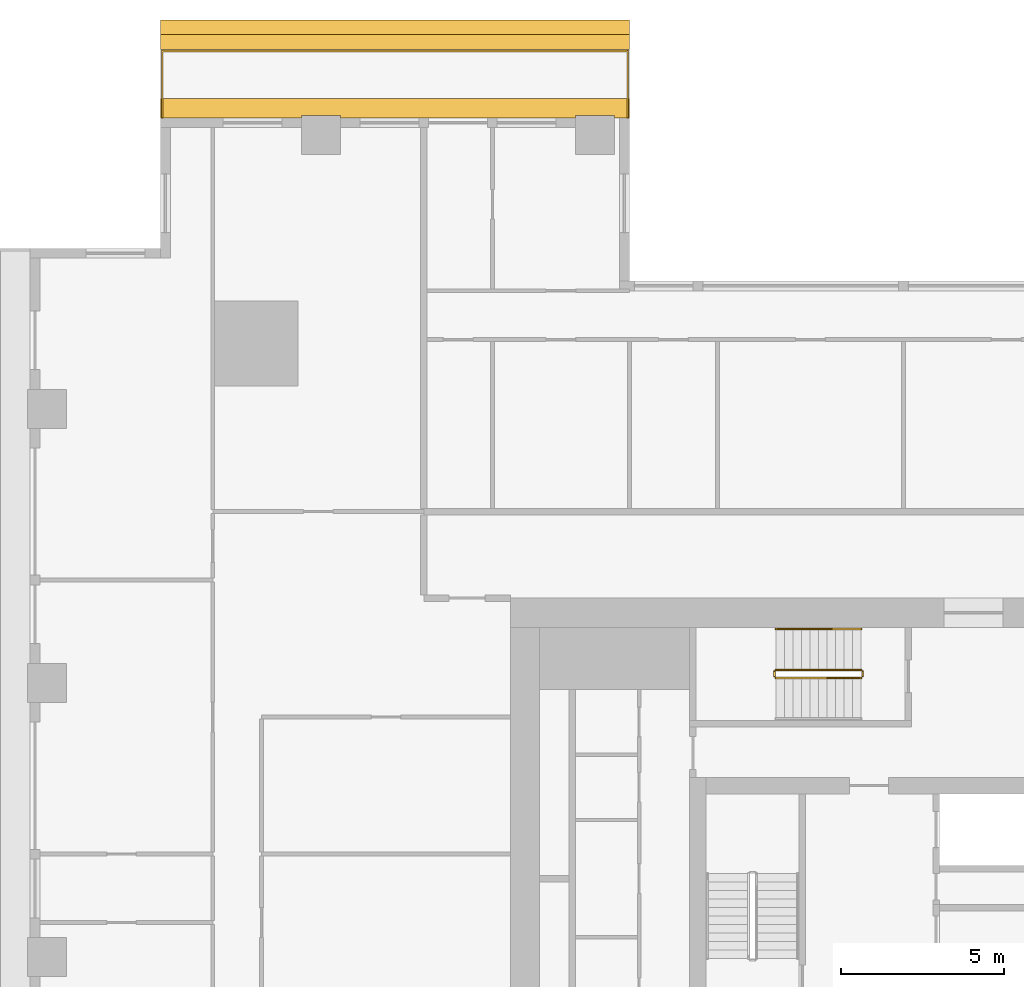
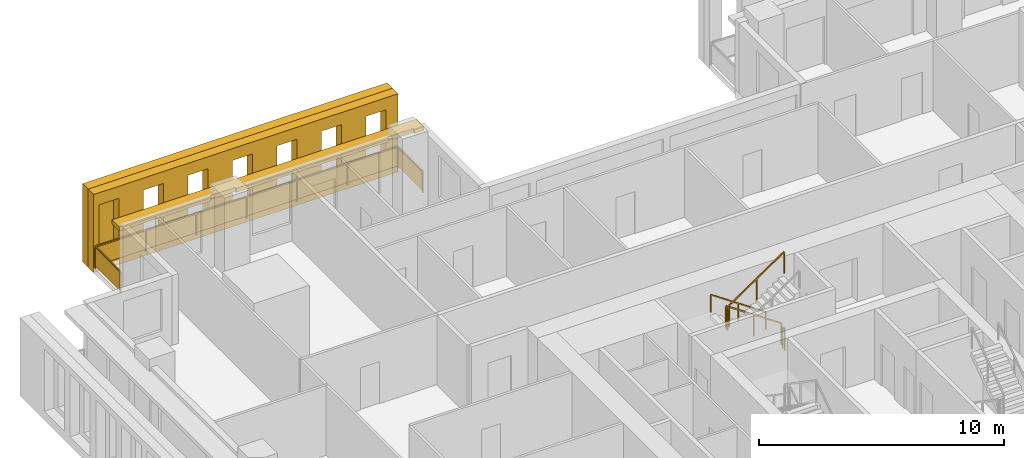
# One storey, part 15 of 16: 6 railings, 3 shading devices.
"""IFC4 building model written with IfcOpenShell, lengths in metres."""

from ifc_helpers import new_model, si_unit, direction, frame, origin, origin_2d, place, context, subcontext, project, spatial, polyline, rectangle, outline, extrude, material, layer, layer_set, type_object, element, save


model = new_model("IFC4")

# Units and contexts
model_context = context("Model", 3, precision=1e-05, world=origin(), true_north=direction((0.0, 1.0)))
body_context = subcontext(model_context, "Body", "Model", "MODEL_VIEW")
ifc_project = project(units=[si_unit("LENGTHUNIT", "METRE"), si_unit("AREAUNIT", "SQUARE_METRE"), si_unit("VOLUMEUNIT", "CUBIC_METRE"), si_unit("PLANEANGLEUNIT", "RADIAN"), si_unit("MASSUNIT", "GRAM", prefix="KILO")], contexts=[model_context])

# Site, building, storey
site_placement = place(None, origin())
site = spatial("IfcSite", under=ifc_project, at=site_placement, CompositionType="ELEMENT")
building_placement = place(site_placement, origin())
building = spatial("IfcBuilding", under=site, at=building_placement, Name="Khepri Terraces", CompositionType="ELEMENT")
storey_placement = place(building_placement, frame((0.0, 0.0, 153.300048828125)))
storey = spatial("IfcBuildingStorey", under=building, at=storey_placement, Name="L36", CompositionType="ELEMENT", Elevation=153.300048828125)

# Railings
ifc_material_1 = material(Name="Stainless steel grade 316", Category="steel")
railing_type_1 = type_object("IfcRailingType", Name="GRD-BAL-1100", PredefinedType="GUARDRAIL", material=ifc_material_1)
railing_1_placement = place(storey_placement, frame((-7.39990234375, 25.719970703125, 0.0)))
element("IfcRailing", 1, at=railing_1_placement, inside=storey, type_object=railing_type_1, Name="Balcony guard L36 N", PredefinedType="GUARDRAIL", context=body_context, shape_type="SweptSolid", body=[
    extrude(rectangle(XDim=0.050048828125, YDim=0.06005859375, at=origin_2d()), frame((0.0, 0.0, 1.070068359375), z_axis=(0.0, 1.0, 0.0), x_axis=(-1.0, 0.0, 0.0)), (0.0, 0.0, 1.0), 2.050048828125),
    extrude(rectangle(XDim=2.0, YDim=0.011962890625, at=origin_2d()), frame((0.0, 1.02490234375, 0.10009765625), z_axis=(0.0, 0.0, 1.0), x_axis=(0.0, 1.0, 0.0)), (0.0, 0.0, 1.0), 0.93994140625),
    extrude(rectangle(XDim=0.050048828125, YDim=0.06005859375, at=origin_2d()), frame((0.0, 2.050048828125, 1.070068359375), z_axis=(-1.0, 0.0, 0.0), x_axis=(0.0, -1.0, 0.0)), (0.0, 0.0, 1.0), 14.27001953125),
    extrude(rectangle(XDim=2.328369140625, YDim=0.011962890625, at=origin_2d()), frame((-1.189208984375, 2.050048828125, 0.10009765625), z_axis=(0.0, 0.0, 1.0), x_axis=(-1.0, 0.0, 0.0)), (0.0, 0.0, 1.0), 0.93994140625),
    extrude(rectangle(XDim=2.328369140625, YDim=0.011962890625, at=origin_2d()), frame((-3.5673828125, 2.050048828125, 0.10009765625), z_axis=(0.0, 0.0, 1.0), x_axis=(-1.0, 0.0, 0.0)), (0.0, 0.0, 1.0), 0.93994140625),
    extrude(rectangle(XDim=2.328369140625, YDim=0.011962890625, at=origin_2d()), frame((-5.94580078125, 2.050048828125, 0.10009765625), z_axis=(0.0, 0.0, 1.0), x_axis=(-1.0, 0.0, 0.0)), (0.0, 0.0, 1.0), 0.93994140625),
    extrude(rectangle(XDim=2.328369140625, YDim=0.011962890625, at=origin_2d()), frame((-8.32421875, 2.050048828125, 0.10009765625), z_axis=(0.0, 0.0, 1.0), x_axis=(-1.0, 0.0, 0.0)), (0.0, 0.0, 1.0), 0.93994140625),
    extrude(rectangle(XDim=2.328369140625, YDim=0.011962890625, at=origin_2d()), frame((-10.70263671875, 2.050048828125, 0.10009765625), z_axis=(0.0, 0.0, 1.0), x_axis=(-1.0, 0.0, 0.0)), (0.0, 0.0, 1.0), 0.93994140625),
    extrude(rectangle(XDim=2.328369140625, YDim=0.011962890625, at=origin_2d()), frame((-13.080810546875, 2.050048828125, 0.10009765625), z_axis=(0.0, 0.0, 1.0), x_axis=(-1.0, 0.0, 0.0)), (0.0, 0.0, 1.0), 0.93994140625),
    extrude(rectangle(XDim=0.050048828125, YDim=0.06005859375, at=origin_2d()), frame((-14.27001953125, 2.050048828125, 1.070068359375), z_axis=(0.0, -1.0, 0.0), x_axis=(1.0, 0.0, 0.0)), (0.0, 0.0, 1.0), 2.050048828125),
    extrude(rectangle(XDim=2.0, YDim=0.011962890625, at=origin_2d()), frame((-14.27001953125, 1.02490234375, 0.10009765625), z_axis=(0.0, 0.0, 1.0), x_axis=(0.0, -1.0, 0.0)), (0.0, 0.0, 1.0), 0.93994140625),
    extrude(rectangle(XDim=0.050048828125, YDim=0.050048828125, at=origin_2d()), origin(), (0.0, 0.0, 1.0), 1.0400390625),
    extrude(rectangle(XDim=0.050048828125, YDim=0.050048828125, at=origin_2d()), frame((0.0, 2.050048828125, 0.0)), (0.0, 0.0, 1.0), 1.0400390625),
    extrude(rectangle(XDim=0.050048828125, YDim=0.050048828125, at=origin_2d()), frame((-2.37841796875, 2.050048828125, 0.0)), (0.0, 0.0, 1.0), 1.0400390625),
    extrude(rectangle(XDim=0.050048828125, YDim=0.050048828125, at=origin_2d()), frame((-4.756591796875, 2.050048828125, 0.0)), (0.0, 0.0, 1.0), 1.0400390625),
    extrude(rectangle(XDim=0.050048828125, YDim=0.050048828125, at=origin_2d()), frame((-7.135009765625, 2.050048828125, 0.0)), (0.0, 0.0, 1.0), 1.0400390625),
    extrude(rectangle(XDim=0.050048828125, YDim=0.050048828125, at=origin_2d()), frame((-9.513427734375, 2.050048828125, 0.0)), (0.0, 0.0, 1.0), 1.0400390625),
    extrude(rectangle(XDim=0.050048828125, YDim=0.050048828125, at=origin_2d()), frame((-11.8916015625, 2.050048828125, 0.0)), (0.0, 0.0, 1.0), 1.0400390625),
    extrude(rectangle(XDim=0.050048828125, YDim=0.050048828125, at=origin_2d()), frame((-14.27001953125, 2.050048828125, 0.0)), (0.0, 0.0, 1.0), 1.0400390625),
    extrude(rectangle(XDim=0.050048828125, YDim=0.050048828125, at=origin_2d()), frame((-14.27001953125, 0.0, 0.0)), (0.0, 0.0, 1.0), 1.0400390625),
])
ifc_material_2 = material(Name="Stainless steel 316", Category="steel")
railing_type_2 = type_object("IfcRailingType", Name="RL-CORE-GUARD", PredefinedType="GUARDRAIL", material=ifc_material_2)
railing_2_placement = place(storey_placement, frame((-0.25, 8.800048828125, 0.17724609375)))
element("IfcRailing", 2, at=railing_2_placement, inside=storey, type_object=railing_type_2, Name="L36 ST-3 stair guard 1", PredefinedType="GUARDRAIL", context=body_context, shape_type="SweptSolid", body=[
    extrude(rectangle(XDim=0.050048828125, YDim=0.06005859375, at=origin_2d()), frame((0.0, 0.0, 1.070068359375), z_axis=(-0.826240473404, 0.0, 0.563317565952), x_axis=(0.0, -1.0, 0.0)), (0.0, 0.0, 1.0), 3.14697265625),
    extrude(rectangle(XDim=0.050048828125, YDim=0.050048828125, at=origin_2d()), origin(), (0.0, 0.0, 1.0), 1.0400390625),
    extrude(rectangle(XDim=0.050048828125, YDim=0.050048828125, at=origin_2d()), frame((-1.300048828125, 0.0, 0.88623046875)), (0.0, 0.0, 1.0), 1.0400390625),
    extrude(rectangle(XDim=0.050048828125, YDim=0.050048828125, at=origin_2d()), frame((-2.60009765625, 0.0, 1.772705078125)), (0.0, 0.0, 1.0), 1.0400390625),
])
railing_3_placement = place(storey_placement, frame((-2.89990234375, 8.75, 1.949951171875)))
element("IfcRailing", 3, at=railing_3_placement, inside=storey, type_object=railing_type_2, Name="L36 ST-3 stair guard 2", PredefinedType="GUARDRAIL", context=body_context, shape_type="SweptSolid", body=[
    extrude(rectangle(XDim=0.050048828125, YDim=0.06005859375, at=origin_2d()), frame((0.0, 0.0, 1.070068359375), z_axis=(0.0, -1.0, 0.0), x_axis=(1.0, 0.0, 0.0)), (0.0, 0.0, 1.0), 0.14990234375),
    extrude(rectangle(XDim=0.050048828125, YDim=0.050048828125, at=origin_2d()), origin(), (0.0, 0.0, 1.0), 1.0400390625),
    extrude(rectangle(XDim=0.050048828125, YDim=0.050048828125, at=origin_2d()), frame((0.0, -0.14990234375, 0.0)), (0.0, 0.0, 1.0), 1.0400390625),
])
railing_4_placement = place(storey_placement, frame((-2.85009765625, 8.550048828125, 2.127197265625)))
element("IfcRailing", 4, at=railing_4_placement, inside=storey, type_object=railing_type_2, Name="L36 ST-3 stair guard 3", PredefinedType="GUARDRAIL", context=body_context, shape_type="SweptSolid", body=[
    extrude(rectangle(XDim=0.050048828125, YDim=0.06005859375, at=origin_2d()), frame((0.0, 0.0, 1.070068359375), z_axis=(0.826240473404, 0.0, 0.563317565952), x_axis=(0.0, 1.0, 0.0)), (0.0, 0.0, 1.0), 3.14697265625),
    extrude(rectangle(XDim=0.050048828125, YDim=0.050048828125, at=origin_2d()), origin(), (0.0, 0.0, 1.0), 1.0400390625),
    extrude(rectangle(XDim=0.050048828125, YDim=0.050048828125, at=origin_2d()), frame((1.300048828125, 0.0, 0.88623046875)), (0.0, 0.0, 1.0), 1.0400390625),
    extrude(rectangle(XDim=0.050048828125, YDim=0.050048828125, at=origin_2d()), frame((2.60009765625, 0.0, 1.772705078125)), (0.0, 0.0, 1.0), 1.0400390625),
])
railing_5_placement = place(storey_placement, frame((-0.199951171875, 8.75, 0.0)))
element("IfcRailing", 5, at=railing_5_placement, inside=storey, type_object=railing_type_2, Name="L36 ST-3 stair guard 4", PredefinedType="GUARDRAIL", context=body_context, shape_type="SweptSolid", body=[
    extrude(rectangle(XDim=0.050048828125, YDim=0.06005859375, at=origin_2d()), frame((0.0, 0.0, 1.070068359375), z_axis=(0.0, -1.0, 0.0), x_axis=(1.0, 0.0, 0.0)), (0.0, 0.0, 1.0), 0.14990234375),
    extrude(rectangle(XDim=0.050048828125, YDim=0.050048828125, at=origin_2d()), origin(), (0.0, 0.0, 1.0), 1.0400390625),
    extrude(rectangle(XDim=0.050048828125, YDim=0.050048828125, at=origin_2d()), frame((0.0, -0.14990234375, 0.0)), (0.0, 0.0, 1.0), 1.0400390625),
])
railing_type_3 = type_object("IfcRailingType", Name="RL-CORE-HANDRAIL", PredefinedType="HANDRAIL", material=ifc_material_2)
railing_6_placement = place(storey_placement, frame((-0.25, 10.050048828125, 0.17724609375)))
element("IfcRailing", 6, at=railing_6_placement, inside=storey, type_object=railing_type_3, Name="L36 ST-3 stair handrail 1", PredefinedType="HANDRAIL", context=body_context, shape_type="SweptSolid", body=[
    extrude(rectangle(XDim=0.050048828125, YDim=0.050048828125, at=origin_2d()), frame((0.0, 0.0, 0.875), z_axis=(-0.826240473404, 0.0, 0.563317565952), x_axis=(0.0, -1.0, 0.0)), (0.0, 0.0, 1.0), 3.14697265625),
    extrude(rectangle(XDim=0.050048828125, YDim=0.050048828125, at=origin_2d()), origin(), (0.0, 0.0, 1.0), 0.849853515625),
    extrude(rectangle(XDim=0.050048828125, YDim=0.050048828125, at=origin_2d()), frame((-1.300048828125, 0.0, 0.88623046875)), (0.0, 0.0, 1.0), 0.849853515625),
    extrude(rectangle(XDim=0.050048828125, YDim=0.050048828125, at=origin_2d()), frame((-2.60009765625, 0.0, 1.772705078125)), (0.0, 0.0, 1.0), 0.849853515625),
])

# Shading devices
ifc_material_3 = material(Name="Precast concrete C50/60 warm stone", Category="masonry")
shading_device_type_1 = type_object("IfcShadingDeviceType", Name="SCR-CELL-INNER-450", PredefinedType="USERDEFINED", material=ifc_material_3)
shading_device_1_placement = place(storey_placement, frame((-7.35009765625, 27.820068359375, -0.25), z_axis=(0.0, 1.0, 0.0), x_axis=(-1.0, 0.0, 0.0)))
element("IfcShadingDevice", 7, at=shading_device_1_placement, inside=storey, type_object=shading_device_type_1, Name="Cell screen L36 N in", ObjectType="SCREEN", PredefinedType="USERDEFINED", context=body_context, shape_type="SweptSolid", body=[
    extrude(outline(polyline([(0.0, 0.0), (14.3701171875, 0.0), (14.3701171875, 3.89990234375), (0.0, 3.89990234375), (0.0, 0.0)]), holes=[polyline([(0.577392578125, 0.699951171875), (1.5224609375, 0.699951171875), (1.5224609375, 3.300048828125), (0.577392578125, 3.300048828125), (0.577392578125, 0.699951171875)]), polyline([(2.677490234375, 0.699951171875), (3.62255859375, 0.699951171875), (3.62255859375, 3.300048828125), (2.677490234375, 3.300048828125), (2.677490234375, 0.699951171875)]), polyline([(4.777587890625, 0.699951171875), (5.722412109375, 0.699951171875), (5.722412109375, 3.300048828125), (4.777587890625, 3.300048828125), (4.777587890625, 0.699951171875)]), polyline([(6.87744140625, 0.699951171875), (7.822509765625, 0.699951171875), (7.822509765625, 3.300048828125), (6.87744140625, 3.300048828125), (6.87744140625, 0.699951171875)]), polyline([(8.9775390625, 0.699951171875), (9.922607421875, 0.699951171875), (9.922607421875, 3.300048828125), (8.9775390625, 3.300048828125), (8.9775390625, 0.699951171875)]), polyline([(11.077392578125, 0.699951171875), (12.0224609375, 0.699951171875), (12.0224609375, 3.300048828125), (11.077392578125, 3.300048828125), (11.077392578125, 0.699951171875)]), polyline([(13.177490234375, 0.699951171875), (14.12255859375, 0.699951171875), (14.12255859375, 3.300048828125), (13.177490234375, 3.300048828125), (13.177490234375, 0.699951171875)])]), origin(), (0.0, 0.0, 1.0), 0.449951171875),
])
shading_device_type_2 = type_object("IfcShadingDeviceType", Name="SCR-CELL-OUTER-450", PredefinedType="USERDEFINED", material=ifc_material_3)
shading_device_2_placement = place(storey_placement, frame((-7.35009765625, 28.27001953125, -0.25), z_axis=(0.0, 1.0, 0.0), x_axis=(-1.0, 0.0, 0.0)))
element("IfcShadingDevice", 8, at=shading_device_2_placement, inside=storey, type_object=shading_device_type_2, Name="Cell screen L36 N out", ObjectType="SCREEN", PredefinedType="USERDEFINED", context=body_context, shape_type="SweptSolid", body=[
    extrude(outline(polyline([(0.0, 0.0), (14.3701171875, 0.0), (14.3701171875, 3.89990234375), (0.0, 3.89990234375), (0.0, 0.0)]), holes=[polyline([(0.2275390625, 0.449951171875), (1.87255859375, 0.449951171875), (1.87255859375, 3.550048828125), (0.2275390625, 3.550048828125), (0.2275390625, 0.449951171875)]), polyline([(2.327392578125, 0.449951171875), (3.972412109375, 0.449951171875), (3.972412109375, 3.550048828125), (2.327392578125, 3.550048828125), (2.327392578125, 0.449951171875)]), polyline([(4.427490234375, 0.449951171875), (6.072509765625, 0.449951171875), (6.072509765625, 3.550048828125), (4.427490234375, 3.550048828125), (4.427490234375, 0.449951171875)]), polyline([(6.527587890625, 0.449951171875), (8.172607421875, 0.449951171875), (8.172607421875, 3.550048828125), (6.527587890625, 3.550048828125), (6.527587890625, 0.449951171875)]), polyline([(8.62744140625, 0.449951171875), (10.2724609375, 0.449951171875), (10.2724609375, 3.550048828125), (8.62744140625, 3.550048828125), (8.62744140625, 0.449951171875)]), polyline([(10.7275390625, 0.449951171875), (12.37255859375, 0.449951171875), (12.37255859375, 3.550048828125), (10.7275390625, 3.550048828125), (10.7275390625, 0.449951171875)])]), origin(), (0.0, 0.0, 1.0), 0.449951171875),
])
ifc_layer = layer(ifc_material_3, 0.199951171875, Name="Precast concrete C50/60 warm stone", Category="masonry")
ifc_layer_set = layer_set([ifc_layer], Name="Precast concrete C50/60 warm stone")
shading_device_type_3 = type_object("IfcShadingDeviceType", Name="SSH-BAND-STONE-200-N", PredefinedType="USERDEFINED", material=ifc_layer_set)
shading_device_3_placement = place(storey_placement, frame((0.0, 0.0, 3.099853515625)))
element("IfcShadingDevice", 9, at=shading_device_3_placement, inside=storey, type_object=shading_device_type_3, Name="Sunshade band L36 N", ObjectType="SUNSHADE", PredefinedType="USERDEFINED", context=body_context, shape_type="SweptSolid", body=[
    extrude(outline(polyline([(-7.800048828125, 25.719970703125), (-7.35009765625, 25.719970703125), (-7.35009765625, 26.320068359375), (-21.719970703125, 26.320068359375), (-21.719970703125, 25.719970703125), (-17.39990234375, 25.719970703125), (-17.39990234375, 25.800048828125), (-16.199951171875, 25.800048828125), (-16.199951171875, 25.719970703125), (-9.0, 25.719970703125), (-9.0, 25.800048828125), (-7.800048828125, 25.800048828125), (-7.800048828125, 25.719970703125)])), origin(), (0.0, 0.0, 1.0), 0.2001953125),
])

save(model, "model.ifc")
